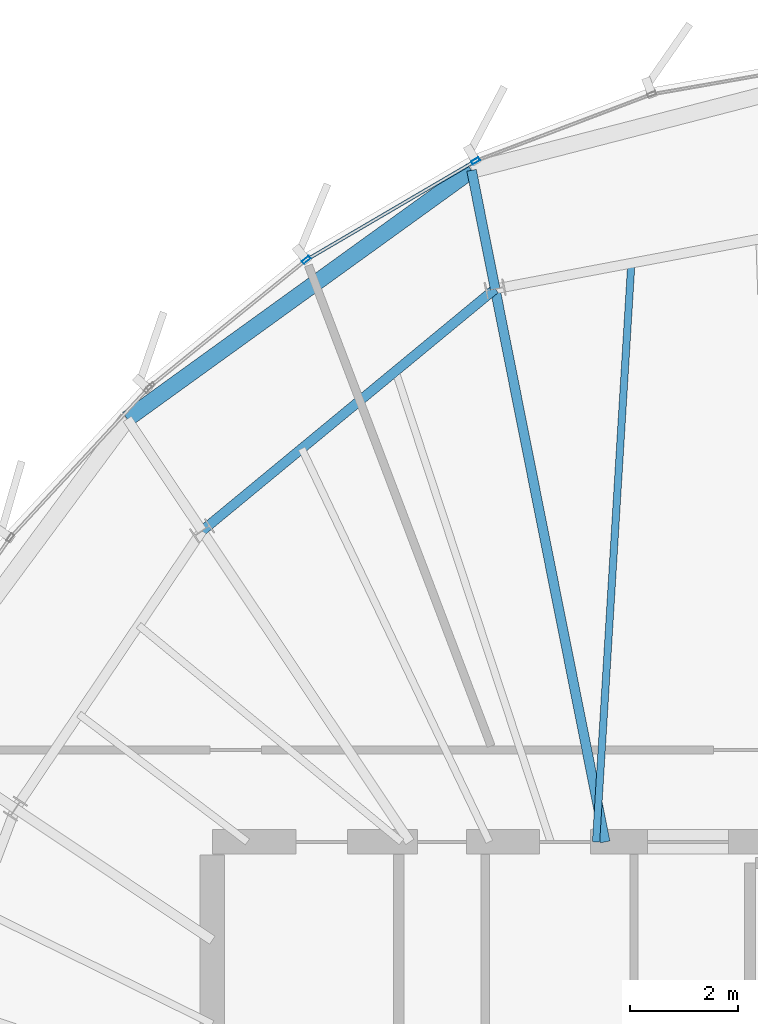
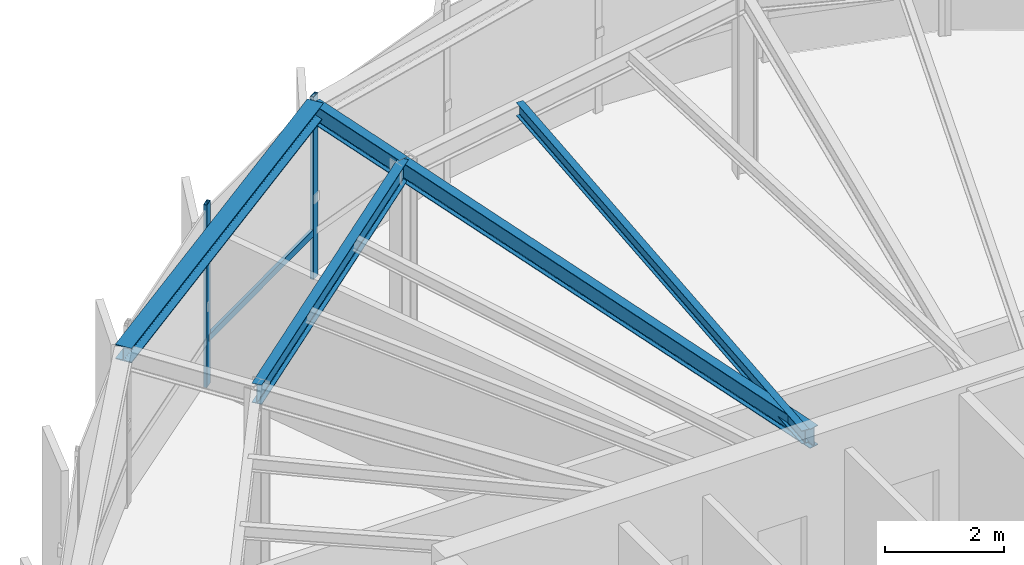
# One storey, part 15 of 25: 5 beams, 3 members, 1 element without a shape of its own.
"""IFC4 building model written with IfcOpenShell, lengths in metres."""

from ifc_helpers import new_model, si_unit, direction, frame, origin, origin_2d, place, context, subcontext, project, spatial, hollow_rectangle, i_section, extrude, source, transform, mapped, material, layer, layer_set, material_profile, profile_set, type_object, element, aggregate, save


model = new_model("IFC4")

# Units and contexts
model_context = context("Model", 3, precision=1e-05, world=origin(), true_north=direction((0.0, 1.0)))
body_context = subcontext(model_context, "Body", "Model", "MODEL_VIEW")
ifc_project = project(units=[si_unit("LENGTHUNIT", "METRE"), si_unit("AREAUNIT", "SQUARE_METRE"), si_unit("VOLUMEUNIT", "CUBIC_METRE"), si_unit("PLANEANGLEUNIT", "RADIAN"), si_unit("MASSUNIT", "GRAM", prefix="KILO"), si_unit("THERMODYNAMICTEMPERATUREUNIT", "KELVIN")], contexts=[model_context])

# Site, building, storey
site_placement = place(None, origin())
site = spatial("IfcSite", under=ifc_project, at=site_placement, CompositionType="ELEMENT")
building_placement = place(site_placement, origin())
building = spatial("IfcBuilding", under=site, at=building_placement, Name="Kethvar Cultural Tower", CompositionType="ELEMENT")
storey_placement = place(building_placement, frame((0.0, 0.0, 304.300048828125)))
storey = spatial("IfcBuildingStorey", under=building, at=storey_placement, Name="L81", CompositionType="ELEMENT", Elevation=304.300048828125)

# Beams
ifc_material_1 = material(Name="Steel S355J2", Category="steel")
ifc_material_profile_1 = material_profile(ifc_material_1, i_section(OverallWidth=0.135009765625, OverallDepth=0.27001953125, WebThickness=0.006591796875, FlangeThickness=0.01025390625, FilletRadius=0.014892578125, at=origin_2d()), Name="Steel S355J2 — IPE270")
ifc_profile_set_1 = profile_set([ifc_material_profile_1], Name="Steel S355J2 — IPE270")
beam_type_1 = type_object("IfcBeamType", Name="BM-J270", PredefinedType="JOIST", material=ifc_profile_set_1)
shared_shape_1 = source(origin(), body_context, "Body", "SweptSolid", [
    extrude(i_section(OverallWidth=0.135009765625, OverallDepth=0.27001953125, WebThickness=0.006591796875, FlangeThickness=0.01025390625, FilletRadius=0.014892578125, at=origin_2d()), origin(), (0.0, 0.0, 1.0), 10.727783203125),
])
beam_1_placement = place(storey_placement, frame((45.10009765625, 35.5, 3.597900390625), z_axis=(0.060876395586, 0.998145312297, 0.0), x_axis=(-0.998145312297, 0.060876395586, 0.0)))
element("IfcBeam", 1, at=beam_1_placement, inside=storey, type_object=beam_type_1, Name="L81 Composite Floor Joist J-04B", PredefinedType="JOIST", context=body_context, shape_type="MappedRepresentation", body=[
    mapped(shared_shape_1, transform((0.0, 0.0, 0.0), scale=1.0)),
])
ifc_material_profile_2 = material_profile(ifc_material_1, i_section(OverallWidth=0.179931640625, OverallDepth=0.39990234375, WebThickness=0.008544921875, FlangeThickness=0.013427734375, FilletRadius=0.02099609375, at=origin_2d()), Name="Steel S355J2 — IPE400")
ifc_profile_set_2 = profile_set([ifc_material_profile_2], Name="Steel S355J2 — IPE400")
beam_type_2 = type_object("IfcBeamType", Name="BM-IPE400", PredefinedType="BEAM", material=ifc_profile_set_2)
shared_shape_2 = source(origin(), body_context, "Body", "SweptSolid", [
    extrude(i_section(OverallWidth=0.179931640625, OverallDepth=0.39990234375, WebThickness=0.008544921875, FlangeThickness=0.013427734375, FilletRadius=0.02099609375, at=origin_2d()), origin(), (0.0, 0.0, 1.0), 10.432861328125),
])
beam_2_placement = place(storey_placement, frame((45.268310546875, 35.5, 3.532958984375), z_axis=(-0.195094483249, 0.980784452673, 0.0), x_axis=(-0.980784452673, -0.195094483249, 0.0)))
element("IfcBeam", 2, at=beam_2_placement, inside=storey, type_object=beam_type_2, Name="L81 Primary Radial Beam RB-05", PredefinedType="BEAM", context=body_context, shape_type="MappedRepresentation", body=[
    mapped(shared_shape_2, transform((0.0, 0.0, 0.0), scale=1.0)),
])
shared_shape_3 = source(origin(), body_context, "Body", "SweptSolid", [
    extrude(i_section(OverallWidth=0.179931640625, OverallDepth=0.39990234375, WebThickness=0.008544921875, FlangeThickness=0.013427734375, FilletRadius=0.02099609375, at=origin_2d()), origin(), (0.0, 0.0, 1.0), 2.236328125),
])
beam_3_placement = place(storey_placement, frame((43.23291015625, 45.732421875, 3.532958984375), z_axis=(-0.195087307181, 0.980785880086, 0.0), x_axis=(-0.980785880086, -0.195087307181, 0.0)))
element("IfcBeam", 3, at=beam_3_placement, inside=storey, type_object=beam_type_2, Name="L81 Perimeter Cantilever Beam RC-05", PredefinedType="BEAM", context=body_context, shape_type="MappedRepresentation", body=[
    mapped(shared_shape_3, transform((0.0, 0.0, 0.0), scale=1.0)),
])
shared_shape_4 = source(origin(), body_context, "Body", "SweptSolid", [
    extrude(i_section(OverallWidth=0.179931640625, OverallDepth=0.39990234375, WebThickness=0.008544921875, FlangeThickness=0.013427734375, FilletRadius=0.02099609375, at=origin_2d()), origin(), (0.0, 0.0, 1.0), 7.03271484375),
])
beam_4_placement = place(storey_placement, frame((43.23291015625, 45.732421875, 3.532958984375), z_axis=(-0.771161072103, -0.636640087391, 0.0), x_axis=(0.636640087391, -0.771161072103, 0.0)))
element("IfcBeam", 4, at=beam_4_placement, inside=storey, type_object=beam_type_2, Name="L81 Column Ring Tie Beam CR-05", PredefinedType="BEAM", context=body_context, shape_type="MappedRepresentation", body=[
    mapped(shared_shape_4, transform((0.0, 0.0, 0.0), scale=1.0)),
])
ifc_material_profile_3 = material_profile(ifc_material_1, i_section(OverallWidth=0.300048828125, OverallDepth=0.300048828125, WebThickness=0.010986328125, FlangeThickness=0.01904296875, FilletRadius=0.027099609375, at=origin_2d()), Name="Steel S355J2 — HEB300")
ifc_profile_set_3 = profile_set([ifc_material_profile_3], Name="Steel S355J2 — HEB300")
beam_type_3 = type_object("IfcBeamType", Name="BM-SP300", PredefinedType="SPANDREL", material=ifc_profile_set_3)
shared_shape_5 = source(origin(), body_context, "Body", "SweptSolid", [
    extrude(i_section(OverallWidth=0.300048828125, OverallDepth=0.300048828125, WebThickness=0.010986328125, FlangeThickness=0.01904296875, FilletRadius=0.027099609375, at=origin_2d()), origin(), (0.0, 0.0, 1.0), 7.85791015625),
])
beam_5_placement = place(storey_placement, frame((42.796630859375, 47.92578125, 3.5830078125), z_axis=(-0.810758690798, -0.585380513252, 0.0), x_axis=(0.585380513252, -0.810758690798, 0.0)))
element("IfcBeam", 5, at=beam_5_placement, inside=storey, type_object=beam_type_3, Name="L81 Perimeter Spandrel Beam SP-05", PredefinedType="SPANDREL", context=body_context, shape_type="MappedRepresentation", body=[
    mapped(shared_shape_5, transform((0.0, 0.0, 0.0), scale=1.0)),
])

# Curtain wall, members
ifc_material_2 = material(Name="Aluminium 6063-T6", Category="aluminium")
ifc_layer = layer(ifc_material_2, 0.179931640625, Name="Aluminium 6063-T6", Category="aluminium")
ifc_layer_set = layer_set([ifc_layer], Name="Aluminium 6063-T6 (180 mm)")
curtain_wall_type = type_object("IfcCurtainWallType", Name="CW-SYS-06-CROWN", PredefinedType="NOTDEFINED", material=ifc_layer_set)
curtain_wall_placement = place(storey_placement, origin())
curtain_wall = element("IfcCurtainWall", 6, at=curtain_wall_placement, inside=storey, type_object=curtain_wall_type, Name="L81 Curtain Wall Run 01", PredefinedType="NOTDEFINED")
ifc_material_profile_4 = material_profile(ifc_material_2, hollow_rectangle(XDim=0.06494140625, YDim=0.159912109375, WallThickness=0.0048828125, at=origin_2d()), Name="Aluminium 6063-T6 — RHS160x65x5")
ifc_profile_set_4 = profile_set([ifc_material_profile_4], Name="Aluminium 6063-T6 — RHS160x65x5")
member_type_1 = type_object("IfcMemberType", Name="CW-SYS-06-CROWN-MUL", PredefinedType="MULLION", material=ifc_profile_set_4)
shared_shape_6 = source(origin(), body_context, "Body", "SweptSolid", [
    extrude(hollow_rectangle(XDim=0.06494140625, YDim=0.159912109375, WallThickness=0.0048828125, at=origin_2d()), origin(), (0.0, 0.0, 1.0), 3.73486328125),
])
member_1_placement = place(storey_placement, frame((42.871826171875, 48.101806640625, 0.0), z_axis=(0.0, 0.0, 1.0), x_axis=(0.505054947977, -0.863087191148, 0.0)))
member_1 = element("IfcMember", 7, at=member_1_placement, type_object=member_type_1, Name="CW-L81-R01 Mullion 5", PredefinedType="MULLION", context=body_context, shape_type="MappedRepresentation", body=[
    mapped(shared_shape_6, transform((0.0, 0.0, 0.0), scale=1.0)),
])
member_2_placement = place(storey_placement, frame((39.738037109375, 46.269775390625, 0.0), z_axis=(0.0, 0.0, 1.0), x_axis=(0.630025447073, -0.776574488404, 0.0)))
member_2 = element("IfcMember", 8, at=member_2_placement, type_object=member_type_1, Name="CW-L81-R01 Mullion 6", PredefinedType="MULLION", context=body_context, shape_type="MappedRepresentation", body=[
    mapped(shared_shape_6, transform((0.0, 0.0, 0.0), scale=1.0)),
])
ifc_material_profile_5 = material_profile(ifc_material_2, hollow_rectangle(XDim=0.06005859375, YDim=0.139892578125, WallThickness=0.0048828125, at=origin_2d()), Name="Aluminium 6063-T6 — RHS140x60x5")
ifc_profile_set_5 = profile_set([ifc_material_profile_5], Name="Aluminium 6063-T6 — RHS140x60x5")
member_type_2 = type_object("IfcMemberType", Name="CW-SYS-06-CROWN-TRN", PredefinedType="USERDEFINED", material=ifc_profile_set_5)
shared_shape_7 = source(origin(), body_context, "Body", "SweptSolid", [
    extrude(hollow_rectangle(XDim=0.06005859375, YDim=0.139892578125, WallThickness=0.0048828125, at=origin_2d()), origin(), (0.0, 0.0, 1.0), 3.5546875),
])
member_3_placement = place(storey_placement, frame((42.831298828125, 48.078369140625, 0.949951171875), z_axis=(-0.863065588886, -0.505091862221, 0.0), x_axis=(0.505091862221, -0.863065588886, 0.0)))
member_3 = element("IfcMember", 9, at=member_3_placement, type_object=member_type_2, Name="CW-L81-R01 Transom 5", ObjectType="TRANSOM", PredefinedType="USERDEFINED", context=body_context, shape_type="MappedRepresentation", body=[
    mapped(shared_shape_7, transform((0.0, 0.0, 0.0), scale=1.0)),
])
aggregate(curtain_wall, [member_1, member_2, member_3])

save(model, "model.ifc")
